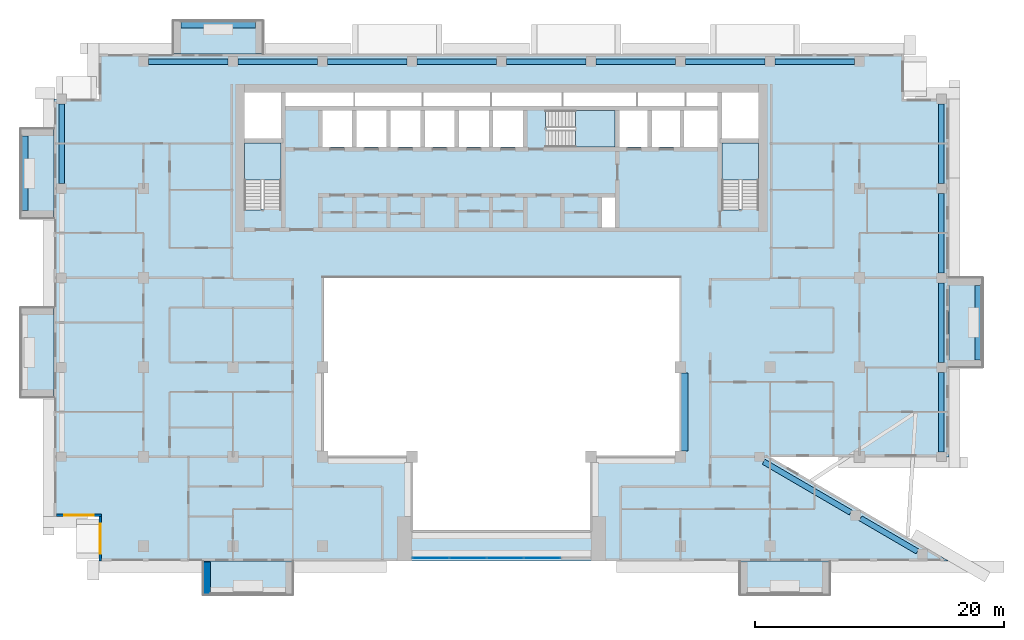
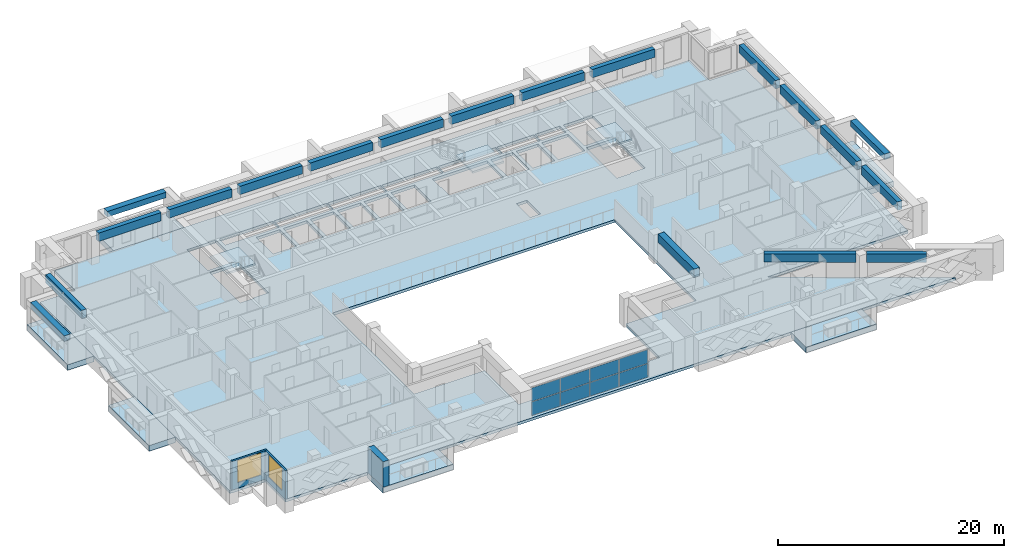
# One storey, part 5 of 20: 19 beams, 10 slabs, 8 plates, 3 walls, 2 windows, 2 openings, 4 elements without a shape of their own.
"""IFC4 building model written with IfcOpenShell, lengths in metres."""

from ifc_helpers import new_model, si_unit, direction, frame, frame_2d, origin, origin_2d, place, context, subcontext, project, spatial, polyline, rectangle, outline, extrude, source, transform, mapped, material, layer, layer_set, material_profile, profile_set, type_object, element, fill, aggregate, save


model = new_model("IFC4")

# Units and contexts
model_context = context("Model", 3, precision=1e-05, world=origin(), true_north=direction((0.0, 1.0)))
body_context = subcontext(model_context, "Body", "Model", "MODEL_VIEW")
ifc_project = project(units=[si_unit("LENGTHUNIT", "METRE"), si_unit("AREAUNIT", "SQUARE_METRE"), si_unit("VOLUMEUNIT", "CUBIC_METRE"), si_unit("PLANEANGLEUNIT", "RADIAN"), si_unit("MASSUNIT", "GRAM", prefix="KILO")], contexts=[model_context])

# Site, building, storey
site_placement = place(None, origin())
site = spatial("IfcSite", under=ifc_project, at=site_placement, CompositionType="ELEMENT")
building_placement = place(site_placement, origin())
building = spatial("IfcBuilding", under=site, at=building_placement, Name="Saffron Iwan Residences", CompositionType="ELEMENT")
storey_placement = place(building_placement, frame((0.0, 0.0, 202.5)))
storey = spatial("IfcBuildingStorey", under=building, at=storey_placement, Name="L54", CompositionType="ELEMENT", Elevation=202.5)

# Beams
ifc_material_1 = material(Name="Concrete C50/60", Category="concrete")
ifc_material_profile_1 = material_profile(ifc_material_1, rectangle(XDim=0.449951171875, YDim=0.89990234375, at=origin_2d()), Name="RC 450x900")
ifc_profile_set_1 = profile_set([ifc_material_profile_1], Name="Concrete C50/60")
beam_type_1 = type_object("IfcBeamType", Name="SPANDREL BEAM RC 450x900 C50/60 TOP 3100", PredefinedType="SPANDREL", material=ifc_profile_set_1)
shared_shape_1 = source(origin(), body_context, "Body", "SweptSolid", [
    extrude(rectangle(XDim=0.449951171875, YDim=0.89990234375, at=origin_2d()), origin(), (0.0, 0.0, 1.0), 5.300537109375),
])
beam_1_placement = place(storey_placement, frame((79.297607421875, 43.04833984375, 2.64990234375), z_axis=(0.86379560586, -0.503842387357, 0.0), x_axis=(0.503842387357, 0.86379560586, 0.0)))
element("IfcBeam", 1, at=beam_1_placement, inside=storey, type_object=beam_type_1, Name="Spandrel beam", PredefinedType="SPANDREL", context=body_context, shape_type="MappedRepresentation", body=[
    mapped(shared_shape_1, transform((0.0, 0.0, 0.0))),
])
shared_shape_2 = source(origin(), body_context, "Body", "SweptSolid", [
    extrude(rectangle(XDim=0.449951171875, YDim=0.89990234375, at=origin_2d()), origin(), (0.0, 0.0, 1.0), 8.107177734375),
])
beam_2_placement = place(storey_placement, frame((71.494873046875, 47.60009765625, 2.64990234375), z_axis=(0.863783269703, -0.503863536071, 0.0), x_axis=(0.503863536071, 0.863783269703, 0.0)))
element("IfcBeam", 2, at=beam_2_placement, inside=storey, type_object=beam_type_1, Name="Spandrel beam", PredefinedType="SPANDREL", context=body_context, shape_type="MappedRepresentation", body=[
    mapped(shared_shape_2, transform((0.0, 0.0, 0.0))),
])
shared_shape_3 = source(origin(), body_context, "Body", "SweptSolid", [
    extrude(rectangle(XDim=0.449951171875, YDim=0.89990234375, at=origin_2d()), origin(), (0.0, 0.0, 1.0), 6.400146484375),
])
for number, where, z_axis, x_axis, name in (
    (3, (85.800048828125, 54.800048828125, 2.64990234375), (0.0, -1.0, 0.0), (1.0, 0.0, 0.0), "Spandrel beam"),
    (4, (29.199951171875, 79.800048828125, 2.64990234375), (1.0, 0.0, 0.0), (0.0, 1.0, 0.0), "Spandrel beam"),
    (5, (36.39990234375, 79.800048828125, 2.64990234375), (1.0, 0.0, 0.0), (0.0, 1.0, 0.0), "Spandrel beam"),
    (6, (65.199951171875, 79.800048828125, 2.64990234375), (1.0, 0.0, 0.0), (0.0, 1.0, 0.0), "Spandrel beam"),
    (7, (72.39990234375, 79.800048828125, 2.64990234375), (1.0, 0.0, 0.0), (0.0, 1.0, 0.0), "Spandrel beam"),
):
    element("IfcBeam", number, at=place(storey_placement, frame(where, z_axis=z_axis, x_axis=x_axis)), inside=storey, type_object=beam_type_1, Name=name, PredefinedType="SPANDREL", context=body_context, shape_type="MappedRepresentation", body=[
        mapped(shared_shape_3, transform((0.0, 0.0, 0.0))),
    ])
shared_shape_4 = source(origin(), body_context, "Body", "SweptSolid", [
    extrude(rectangle(XDim=0.449951171875, YDim=0.89990234375, at=origin_2d()), origin(), (0.0, 0.0, 1.0), 6.39990234375),
])
for number, where, z_axis, x_axis, name in (
    (8, (85.800048828125, 62.0, 2.64990234375), (0.0, -1.0, 0.0), (1.0, 0.0, 0.0), "Spandrel beam"),
    (9, (85.800048828125, 69.199951171875, 2.64990234375), (0.0, -1.0, 0.0), (1.0, 0.0, 0.0), "Spandrel beam"),
    (10, (15.0, 70.0, 2.64990234375), (0.0, 1.0, 0.0), (-1.0, 0.0, 0.0), "Spandrel beam"),
    (11, (85.800048828125, 76.39990234375, 2.64990234375), (0.0, -1.0, 0.0), (1.0, 0.0, 0.0), "Spandrel beam"),
    (12, (22.0, 79.800048828125, 2.64990234375), (1.0, 0.0, 0.0), (0.0, 1.0, 0.0), "Spandrel beam"),
    (13, (43.60009765625, 79.800048828125, 2.64990234375), (1.0, 0.0, 0.0), (0.0, 1.0, 0.0), "Spandrel beam"),
    (14, (50.800048828125, 79.800048828125, 2.64990234375), (1.0, 0.0, 0.0), (0.0, 1.0, 0.0), "Spandrel beam"),
    (15, (58.0, 79.800048828125, 2.64990234375), (1.0, 0.0, 0.0), (0.0, 1.0, 0.0), "Spandrel beam"),
):
    element("IfcBeam", number, at=place(storey_placement, frame(where, z_axis=z_axis, x_axis=x_axis)), inside=storey, type_object=beam_type_1, Name=name, PredefinedType="SPANDREL", context=body_context, shape_type="MappedRepresentation", body=[
        mapped(shared_shape_4, transform((0.0, 0.0, 0.0))),
    ])
ifc_material_profile_2 = material_profile(ifc_material_1, rectangle(XDim=0.60009765625, YDim=0.89990234375, at=origin_2d()), Name="RC 600x900")
ifc_profile_set_2 = profile_set([ifc_material_profile_2], Name="Concrete C50/60")
beam_type_2 = type_object("IfcBeamType", Name="BEAM RC 600x900 C50/60 TOP 3100", PredefinedType="BEAM", material=ifc_profile_set_2)
shared_shape_5 = source(origin(), body_context, "Body", "SweptSolid", [
    extrude(rectangle(XDim=0.60009765625, YDim=0.89990234375, at=origin_2d()), origin(), (0.0, 0.0, 1.0), 6.300048828125),
])
beam_3_placement = place(storey_placement, frame((65.10009765625, 54.75, 2.64990234375), z_axis=(0.0, -1.0, 0.0), x_axis=(1.0, 0.0, 0.0)))
element("IfcBeam", 16, at=beam_3_placement, inside=storey, type_object=beam_type_2, Name="Atrium edge beam", PredefinedType="BEAM", context=body_context, shape_type="MappedRepresentation", body=[
    mapped(shared_shape_5, transform((0.0, 0.0, 0.0))),
])
ifc_material_2 = material(Name="Concrete C50/60 white painted", Category="concrete")
ifc_material_profile_3 = material_profile(ifc_material_2, rectangle(XDim=0.60009765625, YDim=0.60009765625, at=origin_2d()), Name="BALCONY FASCIA BEAM 600 x 600")
ifc_profile_set_3 = profile_set([ifc_material_profile_3], Name="Concrete C50/60 white painted")
beam_type_3 = type_object("IfcBeamType", Name="BALCONY FASCIA BEAM 600 x 600", PredefinedType="BEAM", material=ifc_profile_set_3)
shared_shape_6 = source(origin(), body_context, "Body", "SweptSolid", [
    extrude(rectangle(XDim=0.60009765625, YDim=0.60009765625, at=origin_2d()), origin(), (0.0, 0.0, 1.0), 6.0),
])
for number, where, z_axis, x_axis, name in (
    (17, (88.800048828125, 55.800048828125, 2.449951171875), (0.0, 1.0, 0.0), (-1.0, 0.0, 0.0), "Balcony fascia beam L54 F2-0"),
    (18, (30.60009765625, 82.800048828125, 2.449951171875), (-1.0, 0.0, 0.0), (0.0, -1.0, 0.0), "Balcony fascia beam L54 F5-3"),
    (19, (12.0, 73.800048828125, 2.449951171875), (0.0, -1.0, 0.0), (1.0, 0.0, 0.0), "Balcony fascia beam L54 F8-0"),
):
    element("IfcBeam", number, at=place(storey_placement, frame(where, z_axis=z_axis, x_axis=x_axis)), inside=storey, type_object=beam_type_3, Name=name, PredefinedType="BEAM", context=body_context, shape_type="MappedRepresentation", body=[
        mapped(shared_shape_6, transform((0.0, 0.0, 0.0))),
    ])

# Slabs
ifc_layer_1 = layer(ifc_material_2, 0.60009765625)
ifc_layer_set_1 = layer_set([ifc_layer_1], Name="Concrete C50/60 white painted")
slab_type_1 = type_object("IfcSlabType", Name="BALCONY FRAME SLAB 600", PredefinedType="FLOOR", material=ifc_layer_set_1)
slab_1_placement = place(storey_placement, frame((0.0, 0.0, -0.60009765625)))
element("IfcSlab", 20, at=slab_1_placement, inside=storey, type_object=slab_type_1, Name="Balcony frame slab L54 F2-0", PredefinedType="FLOOR", context=body_context, shape_type="SweptSolid", body=[
    extrude(outline(polyline([(89.10009765625, 55.199951171875), (89.10009765625, 62.39990234375), (86.39990234375, 62.39990234375), (86.39990234375, 55.199951171875), (89.10009765625, 55.199951171875)])), origin(), (0.0, 0.0, 1.0), 0.60009765625),
])
slab_2_placement = place(storey_placement, frame((0.0, 0.0, -0.60009765625)))
element("IfcSlab", 21, at=slab_2_placement, inside=storey, type_object=slab_type_1, Name="Balcony frame slab L54 F5-3", PredefinedType="FLOOR", context=body_context, shape_type="SweptSolid", body=[
    extrude(outline(polyline([(31.199951171875, 83.10009765625), (24.0, 83.10009765625), (24.0, 80.39990234375), (31.199951171875, 80.39990234375), (31.199951171875, 83.10009765625)])), origin(), (0.0, 0.0, 1.0), 0.60009765625),
])
slab_3_placement = place(storey_placement, frame((0.0, 0.0, -0.60009765625)))
element("IfcSlab", 22, at=slab_3_placement, inside=storey, type_object=slab_type_1, Name="Balcony frame slab L54 F8-0", PredefinedType="FLOOR", context=body_context, shape_type="SweptSolid", body=[
    extrude(outline(polyline([(11.699951171875, 74.39990234375), (11.699951171875, 67.199951171875), (14.39990234375, 67.199951171875), (14.39990234375, 74.39990234375), (11.699951171875, 74.39990234375)])), origin(), (0.0, 0.0, 1.0), 0.60009765625),
])
slab_4_placement = place(storey_placement, frame((0.0, 0.0, -0.60009765625)))
element("IfcSlab", 23, at=slab_4_placement, inside=storey, type_object=slab_type_1, Name="Balcony frame slab L54 F8-1", PredefinedType="FLOOR", context=body_context, shape_type="SweptSolid", body=[
    extrude(outline(polyline([(11.699951171875, 60.0), (11.699951171875, 52.800048828125), (14.39990234375, 52.800048828125), (14.39990234375, 60.0), (11.699951171875, 60.0)])), origin(), (0.0, 0.0, 1.0), 0.60009765625),
])
slab_5_placement = place(storey_placement, frame((0.0, 0.0, -0.60009765625)))
element("IfcSlab", 24, at=slab_5_placement, inside=storey, type_object=slab_type_1, Name="Balcony frame slab L54 11-0", PredefinedType="FLOOR", context=body_context, shape_type="SweptSolid", body=[
    extrude(outline(polyline([(26.39990234375, 36.89990234375), (33.60009765625, 36.89990234375), (33.60009765625, 39.60009765625), (26.39990234375, 39.60009765625), (26.39990234375, 36.89990234375)])), origin(), (0.0, 0.0, 1.0), 0.60009765625),
])
slab_6_placement = place(storey_placement, frame((0.0, 0.0, -0.60009765625)))
element("IfcSlab", 25, at=slab_6_placement, inside=storey, type_object=slab_type_1, Name="Balcony frame slab L54 11-1", PredefinedType="FLOOR", context=body_context, shape_type="SweptSolid", body=[
    extrude(outline(polyline([(69.60009765625, 36.89990234375), (76.800048828125, 36.89990234375), (76.800048828125, 39.60009765625), (69.60009765625, 39.60009765625), (69.60009765625, 36.89990234375)])), origin(), (0.0, 0.0, 1.0), 0.60009765625),
])
ifc_material_3 = material(Name="Concrete C40/50", Category="concrete")
ifc_layer_2 = layer(ifc_material_3, 0.300048828125)
ifc_layer_set_2 = layer_set([ifc_layer_2], Name="Concrete C40/50")
slab_type_2 = type_object("IfcSlabType", Name="PT PLATE 300 C40/50", PredefinedType="FLOOR", material=ifc_layer_set_2)
slab_7_placement = place(storey_placement, frame((0.0, 0.0, -0.300048828125)))
element("IfcSlab", 26, at=slab_7_placement, inside=storey, type_object=slab_type_2, Name="Floor slab L54", PredefinedType="FLOOR", context=body_context, shape_type="SweptSolid", body=[
    extrude(outline(polyline([(14.39990234375, 43.199951171875), (14.39990234375, 76.800048828125), (18.0, 76.800048828125), (18.0, 80.39990234375), (82.800048828125, 80.39990234375), (82.800048828125, 76.800048828125), (86.39990234375, 76.800048828125), (86.39990234375, 48.0), (72.0, 48.0), (86.39990234375, 39.60009765625), (18.0, 39.60009765625), (18.0, 43.199951171875), (14.39990234375, 43.199951171875)]), holes=[polyline([(64.800048828125, 48.0), (64.800048828125, 62.39990234375), (36.0, 62.39990234375), (36.0, 48.0), (43.199951171875, 48.0), (43.199951171875, 42.0), (57.60009765625, 42.0), (57.60009765625, 48.0), (64.800048828125, 48.0)]), polyline([(29.699951171875, 73.25), (29.699951171875, 67.949951171875), (29.699951171875, 67.8505859375), (31.10009765625, 67.8505859375), (31.10009765625, 67.949951171875), (32.64990234375, 67.949951171875), (32.64990234375, 73.25), (29.699951171875, 73.25)]), polyline([(38.375, 75.875), (35.97509765625, 75.875), (35.97509765625, 72.925048828125), (38.375, 72.925048828125), (38.375, 75.875)]), polyline([(41.125, 75.875), (38.72509765625, 75.875), (38.72509765625, 72.925048828125), (41.125, 72.925048828125), (41.125, 75.875)]), polyline([(43.875, 72.925048828125), (43.875, 75.875), (41.47509765625, 75.875), (41.47509765625, 72.925048828125), (43.875, 72.925048828125)]), polyline([(46.625, 72.925048828125), (46.625, 75.875), (44.22509765625, 75.875), (44.22509765625, 72.925048828125), (46.625, 72.925048828125)]), polyline([(49.375, 75.875), (46.97509765625, 75.875), (46.97509765625, 72.925048828125), (49.375, 72.925048828125), (49.375, 75.875)]), polyline([(52.125, 72.925048828125), (52.125, 75.875), (49.72509765625, 75.875), (49.72509765625, 72.925048828125), (52.125, 72.925048828125)]), polyline([(32.64990234375, 73.60009765625), (32.64990234375, 77.300048828125), (29.699951171875, 77.300048828125), (29.699951171875, 73.60009765625), (32.64990234375, 73.60009765625)]), polyline([(38.5, 77.300048828125), (33.0, 77.300048828125), (33.0, 76.22509765625), (38.5, 76.22509765625), (38.5, 77.300048828125)]), polyline([(44.0, 76.22509765625), (44.0, 77.300048828125), (38.60009765625, 77.300048828125), (38.60009765625, 76.22509765625), (44.0, 76.22509765625)]), polyline([(49.5, 76.22509765625), (49.5, 77.300048828125), (44.10009765625, 77.300048828125), (44.10009765625, 76.22509765625), (49.5, 76.22509765625)]), polyline([(59.550048828125, 68.875), (58.47509765625, 68.875), (58.47509765625, 66.449951171875), (59.550048828125, 66.449951171875), (59.550048828125, 68.875)]), polyline([(68.14990234375, 73.25), (68.14990234375, 67.949951171875), (68.14990234375, 67.8505859375), (69.550048828125, 67.8505859375), (69.550048828125, 67.949951171875), (71.10009765625, 67.949951171875), (71.10009765625, 73.25), (68.14990234375, 73.25)]), polyline([(54.02490234375, 74.47509765625), (54.02490234375, 72.925048828125), (59.550048828125, 72.925048828125), (59.550048828125, 75.875), (54.02490234375, 75.875), (53.925537109375, 75.875), (53.925537109375, 74.47509765625), (54.02490234375, 74.47509765625)]), polyline([(62.14990234375, 72.925048828125), (62.14990234375, 75.875), (59.89990234375, 75.875), (59.89990234375, 72.925048828125), (62.14990234375, 72.925048828125)]), polyline([(64.75, 72.925048828125), (64.75, 75.875), (62.5, 75.875), (62.5, 72.925048828125), (64.75, 72.925048828125)]), polyline([(67.800048828125, 75.875), (65.10009765625, 75.875), (65.10009765625, 72.925048828125), (67.800048828125, 72.925048828125), (67.800048828125, 75.875)]), polyline([(71.10009765625, 73.60009765625), (71.10009765625, 77.300048828125), (68.14990234375, 77.300048828125), (68.14990234375, 73.60009765625), (71.10009765625, 73.60009765625)]), polyline([(55.25, 76.22509765625), (55.25, 77.300048828125), (49.60009765625, 77.300048828125), (49.60009765625, 76.22509765625), (55.25, 76.22509765625)]), polyline([(61.25, 77.300048828125), (55.35009765625, 77.300048828125), (55.35009765625, 76.22509765625), (61.25, 76.22509765625), (61.25, 77.300048828125)]), polyline([(65.14990234375, 76.22509765625), (65.14990234375, 77.300048828125), (61.35009765625, 77.300048828125), (61.35009765625, 76.22509765625), (65.14990234375, 76.22509765625)]), polyline([(67.800048828125, 76.22509765625), (67.800048828125, 77.300048828125), (65.25, 77.300048828125), (65.25, 76.22509765625), (67.800048828125, 76.22509765625)])]), origin(), (0.0, 0.0, 1.0), 0.300048828125),
])

# Stair, slab
stair_type = type_object("IfcStairType", Name="Stair ST-CORE", PredefinedType="HALF_TURN_STAIR", material=ifc_material_1)
stair_1_placement = place(storey_placement, origin())
stair_1 = element("IfcStair", 27, at=stair_1_placement, inside=storey, type_object=stair_type, Name="L54 Exit Stair ST-W", PredefinedType="HALF_TURN_STAIR")
ifc_layer_3 = layer(ifc_material_1, 0.199951171875)
ifc_layer_set_3 = layer_set([ifc_layer_3], Name="Concrete C50/60")
slab_type_3 = type_object("IfcSlabType", Name="Stair landing SL-RC", PredefinedType="LANDING", material=ifc_layer_set_3)
slab_8_placement = place(storey_placement, frame((0.0, 0.0, 1.5498046875)))
slab_8 = element("IfcSlab", 28, at=slab_8_placement, type_object=slab_type_3, Name="ST-W landing 1", PredefinedType="LANDING", context=body_context, shape_type="SweptSolid", body=[
    extrude(outline(polyline([(32.64990234375, 70.280029296875), (32.64990234375, 73.25), (29.699951171875, 73.25), (29.699951171875, 70.280029296875), (32.64990234375, 70.280029296875)])), origin(), (0.0, 0.0, 1.0), 0.2001953125),
])
aggregate(stair_1, [slab_8])

stair_2_placement = place(storey_placement, origin())
stair_2 = element("IfcStair", 29, at=stair_2_placement, inside=storey, type_object=stair_type, Name="L54 Exit Stair ST-C", PredefinedType="HALF_TURN_STAIR")
slab_9_placement = place(storey_placement, frame((0.0, 0.0, 1.5498046875)))
slab_9 = element("IfcSlab", 30, at=slab_9_placement, type_object=slab_type_3, Name="ST-C landing 1", PredefinedType="LANDING", context=body_context, shape_type="SweptSolid", body=[
    extrude(outline(polyline([(56.35498046875, 72.925048828125), (59.550048828125, 72.925048828125), (59.550048828125, 75.875), (56.35498046875, 75.875), (56.35498046875, 72.925048828125)])), origin(), (0.0, 0.0, 1.0), 0.2001953125),
])
aggregate(stair_2, [slab_9])

stair_3_placement = place(storey_placement, origin())
stair_3 = element("IfcStair", 31, at=stair_3_placement, inside=storey, type_object=stair_type, Name="L54 Exit Stair ST-E", PredefinedType="HALF_TURN_STAIR")
slab_10_placement = place(storey_placement, frame((0.0, 0.0, 1.5498046875)))
slab_10 = element("IfcSlab", 32, at=slab_10_placement, type_object=slab_type_3, Name="ST-E landing 1", PredefinedType="LANDING", context=body_context, shape_type="SweptSolid", body=[
    extrude(outline(polyline([(71.10009765625, 70.280029296875), (71.10009765625, 73.25), (68.14990234375, 73.25), (68.14990234375, 70.280029296875), (71.10009765625, 70.280029296875)])), origin(), (0.0, 0.0, 1.0), 0.2001953125),
])
aggregate(stair_3, [slab_10])

# Curtain wall, plates
ifc_material_4 = material(Name="Clear glass, laminated double glazed", Category="glass")
ifc_layer_4 = layer(ifc_material_4, 0.199951171875)
ifc_layer_set_4 = layer_set([ifc_layer_4], Name="Clear glass, laminated double glazed")
curtain_wall_type = type_object("IfcCurtainWallType", Name="CW-B IWAN PORTAL", PredefinedType="NOTDEFINED", material=ifc_layer_set_4)
curtain_wall_placement = place(storey_placement, origin())
curtain_wall = element("IfcCurtainWall", 33, at=curtain_wall_placement, inside=storey, type_object=curtain_wall_type, Name="Iwan portal glazing L54.1", PredefinedType="NOTDEFINED")
ifc_layer_5 = layer(ifc_material_4, 0.028076171875)
ifc_layer_set_5 = layer_set([ifc_layer_5], Name="Clear glass, laminated double glazed")
plate_type = type_object("IfcPlateType", Name="CW-B PANEL 28", PredefinedType="CURTAIN_PANEL", material=ifc_layer_set_5)
shared_shape_7 = source(origin(), body_context, "Body", "SweptSolid", [
    extrude(rectangle(XDim=2.909912109375, YDim=0.028076171875, at=origin_2d()), origin(), (0.0, 0.0, 1.0), 1.4599609375),
])
plate_1_placement = place(storey_placement, frame((44.715087890625, 39.85009765625, 0.06005859375), z_axis=(0.0, 0.0, 1.0), x_axis=(1.0, 0.0, 0.0)))
plate_1 = element("IfcPlate", 34, at=plate_1_placement, type_object=plate_type, Name="CW-B panel 1.1", PredefinedType="CURTAIN_PANEL", context=body_context, shape_type="MappedRepresentation", body=[
    mapped(shared_shape_7, transform((0.0, 0.0, 0.0))),
])
plate_2_placement = place(storey_placement, frame((44.715087890625, 39.85009765625, 1.580078125), z_axis=(0.0, 0.0, 1.0), x_axis=(1.0, 0.0, 0.0)))
plate_2 = element("IfcPlate", 35, at=plate_2_placement, type_object=plate_type, Name="CW-B panel 1.2", PredefinedType="CURTAIN_PANEL", context=body_context, shape_type="MappedRepresentation", body=[
    mapped(shared_shape_7, transform((0.0, 0.0, 0.0))),
])
plate_3_placement = place(storey_placement, frame((53.68505859375, 39.85009765625, 0.06005859375), z_axis=(0.0, 0.0, 1.0), x_axis=(1.0, 0.0, 0.0)))
plate_3 = element("IfcPlate", 36, at=plate_3_placement, type_object=plate_type, Name="CW-B panel 4.1", PredefinedType="CURTAIN_PANEL", context=body_context, shape_type="MappedRepresentation", body=[
    mapped(shared_shape_7, transform((0.0, 0.0, 0.0))),
])
plate_4_placement = place(storey_placement, frame((53.68505859375, 39.85009765625, 1.580078125), z_axis=(0.0, 0.0, 1.0), x_axis=(1.0, 0.0, 0.0)))
plate_4 = element("IfcPlate", 37, at=plate_4_placement, type_object=plate_type, Name="CW-B panel 4.2", PredefinedType="CURTAIN_PANEL", context=body_context, shape_type="MappedRepresentation", body=[
    mapped(shared_shape_7, transform((0.0, 0.0, 0.0))),
])
shared_shape_8 = source(origin(), body_context, "Body", "SweptSolid", [
    extrude(rectangle(XDim=2.93994140625, YDim=0.028076171875, at=origin_2d()), origin(), (0.0, 0.0, 1.0), 1.4599609375),
])
plate_5_placement = place(storey_placement, frame((47.699951171875, 39.85009765625, 0.06005859375), z_axis=(0.0, 0.0, 1.0), x_axis=(1.0, 0.0, 0.0)))
plate_5 = element("IfcPlate", 38, at=plate_5_placement, type_object=plate_type, Name="CW-B panel 2.1", PredefinedType="CURTAIN_PANEL", context=body_context, shape_type="MappedRepresentation", body=[
    mapped(shared_shape_8, transform((0.0, 0.0, 0.0))),
])
plate_6_placement = place(storey_placement, frame((47.699951171875, 39.85009765625, 1.580078125), z_axis=(0.0, 0.0, 1.0), x_axis=(1.0, 0.0, 0.0)))
plate_6 = element("IfcPlate", 39, at=plate_6_placement, type_object=plate_type, Name="CW-B panel 2.2", PredefinedType="CURTAIN_PANEL", context=body_context, shape_type="MappedRepresentation", body=[
    mapped(shared_shape_8, transform((0.0, 0.0, 0.0))),
])
plate_7_placement = place(storey_placement, frame((50.699951171875, 39.85009765625, 0.06005859375), z_axis=(0.0, 0.0, 1.0), x_axis=(1.0, 0.0, 0.0)))
plate_7 = element("IfcPlate", 40, at=plate_7_placement, type_object=plate_type, Name="CW-B panel 3.1", PredefinedType="CURTAIN_PANEL", context=body_context, shape_type="MappedRepresentation", body=[
    mapped(shared_shape_8, transform((0.0, 0.0, 0.0))),
])
plate_8_placement = place(storey_placement, frame((50.699951171875, 39.85009765625, 1.580078125), z_axis=(0.0, 0.0, 1.0), x_axis=(1.0, 0.0, 0.0)))
plate_8 = element("IfcPlate", 41, at=plate_8_placement, type_object=plate_type, Name="CW-B panel 3.2", PredefinedType="CURTAIN_PANEL", context=body_context, shape_type="MappedRepresentation", body=[
    mapped(shared_shape_8, transform((0.0, 0.0, 0.0))),
])
aggregate(curtain_wall, [plate_1, plate_2, plate_5, plate_6, plate_7, plate_8, plate_3, plate_4])

# Wall
ifc_layer_6 = layer(ifc_material_2, 0.60009765625)
ifc_layer_set_6 = layer_set([ifc_layer_6], Name="Concrete C50/60 white painted")
wall_type_1 = type_object("IfcWallType", Name="BALCONY FIN 600", PredefinedType="SOLIDWALL", material=ifc_layer_set_6)
wall_1_placement = place(storey_placement, frame((26.699951171875, 39.550048828125, 0.0), z_axis=(0.0, 0.0, 1.0), x_axis=(0.0, -1.0, 0.0)))
element("IfcWall", 42, at=wall_1_placement, inside=storey, type_object=wall_type_1, Name="Balcony fin L54 11-0a", PredefinedType="SOLIDWALL", context=body_context, shape_type="SweptSolid", body=[
    extrude(rectangle(XDim=2.650146484375, YDim=0.60009765625, at=frame_2d((1.3251953125, 0.0))), origin(), (0.0, 0.0, 1.0), 2.75),
])

# Wall, opening, window
ifc_layer_7 = layer(ifc_material_3, 0.199951171875)
ifc_layer_set_7 = layer_set([ifc_layer_7], Name="Concrete C40/50")
wall_type_2 = type_object("IfcWallType", Name="EXTERNAL WALL 200", PredefinedType="SOLIDWALL", material=ifc_layer_set_7)
wall_2_placement = place(storey_placement, frame((14.60009765625, 43.300048828125, 0.0), z_axis=(0.0, 0.0, 1.0), x_axis=(1.0, 0.0, 0.0)))
wall_2 = element("IfcWall", 43, at=wall_2_placement, inside=storey, type_object=wall_type_2, Name="External wall L54 F9.0", PredefinedType="SOLIDWALL", context=body_context, shape_type="SweptSolid", body=[
    extrude(rectangle(XDim=3.599853515625, YDim=0.199951171875, at=frame_2d((1.7998046875, 0.0))), origin(), (0.0, 0.0, 1.0), 3.10009765625),
])
opening_1_placement = place(wall_2_placement, frame((0.60009765625, 0.0, 0.60009765625)))
opening_1 = element("IfcOpeningElement", 44, at=opening_1_placement, cuts=wall_2, Name="Opening W1", PredefinedType="OPENING", context=body_context, shape_type="SweptSolid", body=[
    extrude(rectangle(XDim=2.39990234375, YDim=2.39990234375, at=frame_2d((1.199951171875, 1.199951171875))), frame((0.0, 0.10986328125, 0.0), z_axis=(0.0, -1.0, 0.0), x_axis=(1.0, 0.0, 0.0)), (0.0, 0.0, 1.0), 0.219970703125),
])
window_type = type_object("IfcWindowType", Name="WINDOW 2400 x 2400", PartitioningType="DOUBLE_PANEL_VERTICAL", PredefinedType="WINDOW", material=ifc_material_4)
window_1_placement = place(opening_1_placement, origin())
window_1 = element("IfcWindow", 45, at=window_1_placement, inside=storey, type_object=window_type, Name="Window L54 F9.0", OverallHeight=2.39990234375, OverallWidth=2.39990234375, PartitioningType="DOUBLE_PANEL_VERTICAL", PredefinedType="WINDOW", context=body_context, shape_type="SweptSolid", body=[
    extrude(rectangle(XDim=2.39990234375, YDim=2.39990234375, at=frame_2d((1.199951171875, 1.199951171875))), frame((0.0, 0.030029296875, 0.0), z_axis=(0.0, -1.0, 0.0), x_axis=(1.0, 0.0, 0.0)), (0.0, 0.0, 1.0), 0.06005859375),
])
fill(opening_1, window_1)

wall_3_placement = place(storey_placement, frame((18.10009765625, 43.199951171875, 0.0), z_axis=(0.0, 0.0, 1.0), x_axis=(0.0, -1.0, 0.0)))
wall_3 = element("IfcWall", 46, at=wall_3_placement, inside=storey, type_object=wall_type_2, Name="External wall L54 F10.0", PredefinedType="SOLIDWALL", context=body_context, shape_type="SweptSolid", body=[
    extrude(rectangle(XDim=3.599853515625, YDim=0.199951171875, at=frame_2d((1.7998046875, 0.0))), origin(), (0.0, 0.0, 1.0), 3.10009765625),
])
opening_2_placement = place(wall_3_placement, frame((0.60009765625, 0.0, 0.60009765625)))
opening_2 = element("IfcOpeningElement", 47, at=opening_2_placement, cuts=wall_3, Name="Opening W1", PredefinedType="OPENING", context=body_context, shape_type="SweptSolid", body=[
    extrude(rectangle(XDim=2.39990234375, YDim=2.39990234375, at=frame_2d((1.199951171875, 1.199951171875))), frame((0.0, 0.10986328125, 0.0), z_axis=(0.0, -1.0, 0.0), x_axis=(1.0, 0.0, 0.0)), (0.0, 0.0, 1.0), 0.219970703125),
])
window_2_placement = place(opening_2_placement, origin())
window_2 = element("IfcWindow", 48, at=window_2_placement, inside=storey, type_object=window_type, Name="Window L54 F10.0", OverallHeight=2.39990234375, OverallWidth=2.39990234375, PartitioningType="DOUBLE_PANEL_VERTICAL", PredefinedType="WINDOW", context=body_context, shape_type="SweptSolid", body=[
    extrude(rectangle(XDim=2.39990234375, YDim=2.39990234375, at=frame_2d((1.199951171875, 1.199951171875))), frame((0.0, 0.030029296875, 0.0), z_axis=(0.0, -1.0, 0.0), x_axis=(1.0, 0.0, 0.0)), (0.0, 0.0, 1.0), 0.06005859375),
])
fill(opening_2, window_2)

save(model, "model.ifc")
